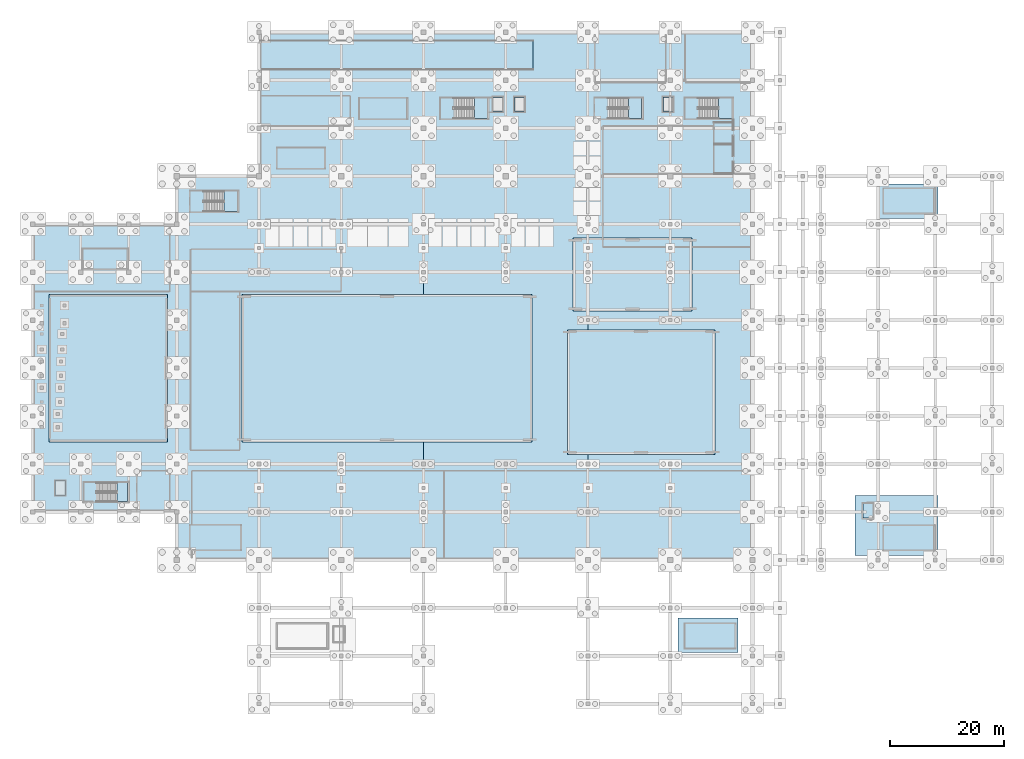
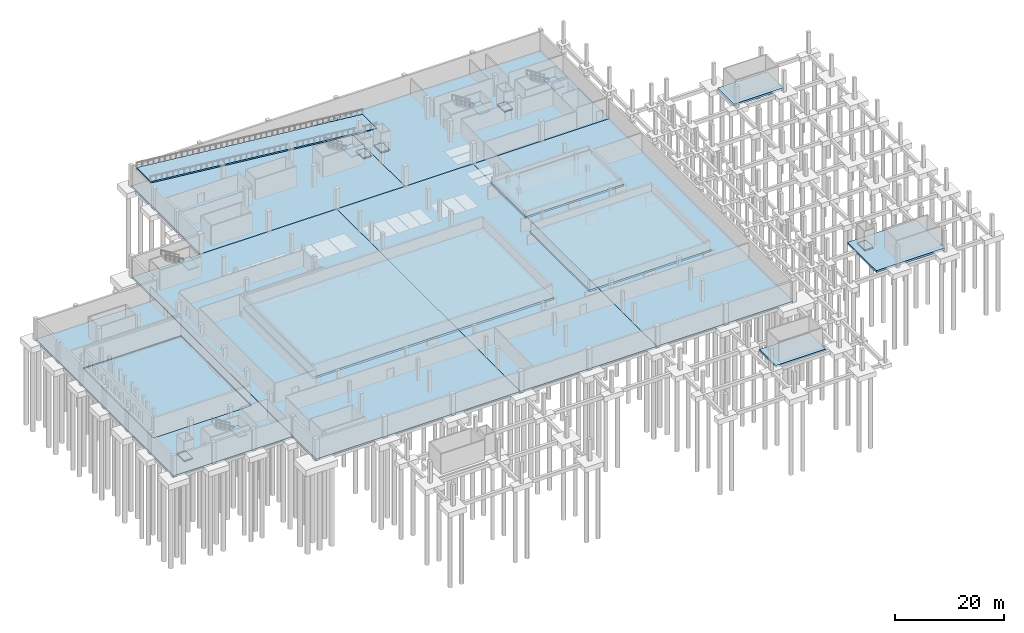
# One storey, part 12 of 26: 24 slabs, 5 elements without a shape of their own.
"""IFC4 building model written with IfcOpenShell, lengths in metres."""

from ifc_helpers import new_model, si_unit, direction, frame, origin, place, context, subcontext, project, spatial, polyline, outline, extrude, material, layer, layer_set, type_object, element, aggregate, save


model = new_model("IFC4")

# Units and contexts
model_context = context("Model", 3, precision=1e-05, world=origin(), true_north=direction((0.0, 1.0)))
body_context = subcontext(model_context, "Body", "Model", "MODEL_VIEW")
ifc_project = project(units=[si_unit("LENGTHUNIT", "METRE"), si_unit("AREAUNIT", "SQUARE_METRE"), si_unit("VOLUMEUNIT", "CUBIC_METRE"), si_unit("PLANEANGLEUNIT", "RADIAN"), si_unit("MASSUNIT", "GRAM", prefix="KILO"), si_unit("THERMODYNAMICTEMPERATUREUNIT", "KELVIN")], contexts=[model_context])

# Site, building, storey
site_placement = place(None, origin())
site = spatial("IfcSite", under=ifc_project, at=site_placement, CompositionType="ELEMENT")
building_placement = place(site_placement, origin())
building = spatial("IfcBuilding", under=site, at=building_placement, Name="Nduvali Passage Aquatics Centre", CompositionType="ELEMENT")
storey_placement = place(building_placement, frame((0.0, 0.0, -4.800048828125)))
storey = spatial("IfcBuildingStorey", under=building, at=storey_placement, Name="B01", CompositionType="ELEMENT", Elevation=-4.800048828125)

# Stair, slab
ifc_material_1 = material(Name="Concrete C40/50", Category="concrete")
stair_type_1 = type_object("IfcStairType", Name="INT-STR-CORE172", PredefinedType="HALF_TURN_STAIR", material=ifc_material_1)
stair_1_placement = place(storey_placement, origin())
stair_1 = element("IfcStair", 1, at=stair_1_placement, inside=storey, type_object=stair_type_1, Name="B01 ST1", PredefinedType="HALF_TURN_STAIR")
ifc_layer_1 = layer(ifc_material_1, 0.219970703125, Name="Concrete C40/50")
ifc_layer_set_1 = layer_set([ifc_layer_1], Name="Concrete C40/50")
slab_type_1 = type_object("IfcSlabType", Name="INT-SLB-LAND170", PredefinedType="LANDING", material=ifc_layer_set_1)
slab_1_placement = place(storey_placement, frame((0.0, 0.0, 2.179931640625)))
slab_1 = element("IfcSlab", 2, at=slab_1_placement, type_object=slab_type_1, Name="ST1 landing 1", PredefinedType="LANDING", context=body_context, shape_type="SweptSolid", body=[
    extrude(outline(polyline([(77.2900390625, 102.5), (79.60009765625, 102.5), (79.60009765625, 106.090087890625), (77.2900390625, 106.090087890625), (77.2900390625, 102.5)])), origin(), (0.0, 0.0, 1.0), 0.22021484375),
])
aggregate(stair_1, [slab_1])

stair_2_placement = place(storey_placement, origin())
stair_2 = element("IfcStair", 3, at=stair_2_placement, inside=storey, type_object=stair_type_1, Name="B01 ST2", PredefinedType="HALF_TURN_STAIR")
slab_2_placement = place(storey_placement, frame((0.0, 0.0, 2.179931640625)))
slab_2 = element("IfcSlab", 4, at=slab_2_placement, type_object=slab_type_1, Name="ST2 landing 1", PredefinedType="LANDING", context=body_context, shape_type="SweptSolid", body=[
    extrude(outline(polyline([(120.090087890625, 102.5), (122.39990234375, 102.5), (122.39990234375, 106.090087890625), (120.090087890625, 106.090087890625), (120.090087890625, 102.5)])), origin(), (0.0, 0.0, 1.0), 0.22021484375),
])
aggregate(stair_2, [slab_2])

stair_type_2 = type_object("IfcStairType", Name="INT-STR-CORE160", PredefinedType="HALF_TURN_STAIR", material=ifc_material_1)
stair_3_placement = place(storey_placement, origin())
stair_3 = element("IfcStair", 5, at=stair_3_placement, inside=storey, type_object=stair_type_2, Name="B01 ST9", PredefinedType="HALF_TURN_STAIR")
slab_3_placement = place(storey_placement, frame((0.0, 0.0, 2.179931640625)))
slab_3 = element("IfcSlab", 6, at=slab_3_placement, type_object=slab_type_1, Name="ST9 landing 1", PredefinedType="LANDING", context=body_context, shape_type="SweptSolid", body=[
    extrude(outline(polyline([(14.739990234375, 35.39990234375), (16.60009765625, 35.39990234375), (16.60009765625, 38.75), (14.739990234375, 38.75), (14.739990234375, 35.39990234375)])), origin(), (0.0, 0.0, 1.0), 0.22021484375),
])
aggregate(stair_3, [slab_3])

stair_4_placement = place(storey_placement, origin())
stair_4 = element("IfcStair", 7, at=stair_4_placement, inside=storey, type_object=stair_type_1, Name="B01 ST10", PredefinedType="HALF_TURN_STAIR")
slab_4_placement = place(storey_placement, frame((0.0, 0.0, 2.179931640625)))
slab_4 = element("IfcSlab", 8, at=slab_4_placement, type_object=slab_type_1, Name="ST10 landing 1", PredefinedType="LANDING", context=body_context, shape_type="SweptSolid", body=[
    extrude(outline(polyline([(33.489990234375, 86.199951171875), (35.800048828125, 86.199951171875), (35.800048828125, 89.7900390625), (33.489990234375, 89.7900390625), (33.489990234375, 86.199951171875)])), origin(), (0.0, 0.0, 1.0), 0.22021484375),
])
aggregate(stair_4, [slab_4])

stair_5_placement = place(storey_placement, origin())
stair_5 = element("IfcStair", 9, at=stair_5_placement, inside=storey, type_object=stair_type_1, Name="B01 ST11", PredefinedType="HALF_TURN_STAIR")
slab_5_placement = place(storey_placement, frame((0.0, 0.0, 2.179931640625)))
slab_5 = element("IfcSlab", 10, at=slab_5_placement, type_object=slab_type_1, Name="ST11 landing 1", PredefinedType="LANDING", context=body_context, shape_type="SweptSolid", body=[
    extrude(outline(polyline([(104.2900390625, 102.5), (106.60009765625, 102.5), (106.60009765625, 106.090087890625), (104.2900390625, 106.090087890625), (104.2900390625, 102.5)])), origin(), (0.0, 0.0, 1.0), 0.22021484375),
])
aggregate(stair_5, [slab_5])

# Slabs
ifc_layer_2 = layer(ifc_material_1, 0.27001953125, Name="Concrete C40/50")
ifc_layer_set_2 = layer_set([ifc_layer_2], Name="Concrete C40/50")
slab_type_2 = type_object("IfcSlabType", Name="INT-SLB-SHAFT200", PredefinedType="BASESLAB", material=ifc_layer_set_2)
slab_6_placement = place(storey_placement, origin())
element("IfcSlab", 11, at=slab_6_placement, inside=storey, type_object=slab_type_2, Name="Lift L1 Shaft Pit Slab", PredefinedType="BASESLAB", context=body_context, shape_type="SweptSolid", body=[
    extrude(outline(polyline([(80.52001953125, 103.719970703125), (82.280029296875, 103.719970703125), (82.280029296875, 106.280029296875), (80.52001953125, 106.280029296875), (80.52001953125, 103.719970703125)])), origin(), (0.0, 0.0, 1.0), 0.27001953125),
])
slab_7_placement = place(storey_placement, origin())
element("IfcSlab", 12, at=slab_7_placement, inside=storey, type_object=slab_type_2, Name="Lift L2 Shaft Pit Slab", PredefinedType="BASESLAB", context=body_context, shape_type="SweptSolid", body=[
    extrude(outline(polyline([(84.320068359375, 103.719970703125), (86.080078125, 103.719970703125), (86.080078125, 106.280029296875), (84.320068359375, 106.280029296875), (84.320068359375, 103.719970703125)])), origin(), (0.0, 0.0, 1.0), 0.27001953125),
])
slab_8_placement = place(storey_placement, origin())
element("IfcSlab", 13, at=slab_8_placement, inside=storey, type_object=slab_type_2, Name="Lift L3 Shaft Pit Slab", PredefinedType="BASESLAB", context=body_context, shape_type="SweptSolid", body=[
    extrude(outline(polyline([(110.320068359375, 103.719970703125), (112.080078125, 103.719970703125), (112.080078125, 106.280029296875), (110.320068359375, 106.280029296875), (110.320068359375, 103.719970703125)])), origin(), (0.0, 0.0, 1.0), 0.27001953125),
])
slab_9_placement = place(storey_placement, origin())
element("IfcSlab", 14, at=slab_9_placement, inside=storey, type_object=slab_type_2, Name="Lift L5 Shaft Pit Slab", PredefinedType="BASESLAB", context=body_context, shape_type="SweptSolid", body=[
    extrude(outline(polyline([(3.919921875, 36.52001953125), (5.679931640625, 36.52001953125), (5.679931640625, 39.080078125), (3.919921875, 39.080078125), (3.919921875, 36.52001953125)])), origin(), (0.0, 0.0, 1.0), 0.27001953125),
])
slab_10_placement = place(storey_placement, origin())
element("IfcSlab", 15, at=slab_10_placement, inside=storey, type_object=slab_type_2, Name="Lift L6 Shaft Pit Slab", PredefinedType="BASESLAB", context=body_context, shape_type="SweptSolid", body=[
    extrude(outline(polyline([(145.320068359375, 32.52001953125), (147.080078125, 32.52001953125), (147.080078125, 35.080078125), (145.320068359375, 35.080078125), (145.320068359375, 32.52001953125)])), origin(), (0.0, 0.0, 1.0), 0.27001953125),
])
ifc_material_2 = material(Name="Waterproof concrete C40/50", Category="concrete")
ifc_layer_3 = layer(ifc_material_2, 0.449951171875, Name="Waterproof concrete C40/50")
ifc_layer_set_3 = layer_set([ifc_layer_3], Name="Waterproof concrete C40/50")
slab_type_3 = type_object("IfcSlabType", Name="STR-SLB-BASE450", PredefinedType="BASESLAB", material=ifc_layer_set_3)
slab_11_placement = place(storey_placement, frame((0.0, 0.0, 2.150146484375)))
element("IfcSlab", 16, at=slab_11_placement, inside=storey, type_object=slab_type_3, Name="Training Pool Waterproof Base Slab", PredefinedType="BASESLAB", context=body_context, shape_type="SweptSolid", body=[
    extrude(outline(polyline([(93.590087890625, 43.699951171875), (119.409912109375, 43.699951171875), (119.409912109375, 65.5), (93.590087890625, 65.5), (93.590087890625, 43.699951171875)])), origin(), (0.0, 0.0, 1.0), 0.449951171875),
])
slab_12_placement = place(storey_placement, frame((0.0, 0.0, 2.949951171875)))
element("IfcSlab", 17, at=slab_12_placement, inside=storey, type_object=slab_type_3, Name="Leisure Pool Waterproof Base Slab", PredefinedType="BASESLAB", context=body_context, shape_type="SweptSolid", body=[
    extrude(outline(polyline([(94.60009765625, 68.800048828125), (115.39990234375, 68.800048828125), (115.39990234375, 81.60009765625), (94.60009765625, 81.60009765625), (94.60009765625, 68.800048828125)])), origin(), (0.0, 0.0, 1.0), 0.4501953125),
])
slab_13_placement = place(storey_placement, frame((0.0, 0.0, -0.449951171875)))
element("IfcSlab", 18, at=slab_13_placement, inside=storey, type_object=slab_type_3, Name="B01 Diving Sub-Basin Plant Base Slab", PredefinedType="BASESLAB", context=body_context, shape_type="SweptSolid", body=[
    extrude(outline(polyline([(0.0, 33.60009765625), (25.199951171875, 33.60009765625), (25.199951171875, 84.0), (0.0, 84.0), (0.0, 33.60009765625)]), holes=[polyline([(2.800048828125, 45.89990234375), (23.60009765625, 45.89990234375), (23.60009765625, 71.699951171875), (2.800048828125, 71.699951171875), (2.800048828125, 45.89990234375)])]), origin(), (0.0, 0.0, 1.0), 0.449951171875),
])
slab_14_placement = place(storey_placement, frame((0.0, 0.0, -0.449951171875)))
element("IfcSlab", 19, at=slab_14_placement, inside=storey, type_object=slab_type_3, Name="B01 Pool Filtration Plant Base Slab Bay 1", PredefinedType="BASESLAB", context=body_context, shape_type="SweptSolid", body=[
    extrude(outline(polyline([(25.25, 25.199951171875), (68.39990234375, 25.199951171875), (68.39990234375, 92.39990234375), (25.25, 92.39990234375), (25.25, 25.199951171875)])), origin(), (0.0, 0.0, 1.0), 0.449951171875),
])
slab_15_placement = place(storey_placement, frame((0.0, 0.0, -0.449951171875)))
element("IfcSlab", 20, at=slab_15_placement, inside=storey, type_object=slab_type_3, Name="B01 Pool Filtration Plant Base Slab Bay 2", PredefinedType="BASESLAB", context=body_context, shape_type="SweptSolid", body=[
    extrude(outline(polyline([(68.39990234375, 25.199951171875), (97.199951171875, 25.199951171875), (97.199951171875, 92.39990234375), (68.39990234375, 92.39990234375), (68.39990234375, 25.199951171875)])), origin(), (0.0, 0.0, 1.0), 0.449951171875),
])
slab_16_placement = place(storey_placement, frame((0.0, 0.0, -0.449951171875)))
element("IfcSlab", 21, at=slab_16_placement, inside=storey, type_object=slab_type_3, Name="B01 Pool Filtration Plant Base Slab Bay 3", PredefinedType="BASESLAB", context=body_context, shape_type="SweptSolid", body=[
    extrude(outline(polyline([(97.199951171875, 25.199951171875), (126.0, 25.199951171875), (126.0, 92.39990234375), (97.199951171875, 92.39990234375), (97.199951171875, 25.199951171875)])), origin(), (0.0, 0.0, 1.0), 0.449951171875),
])
slab_17_placement = place(storey_placement, frame((0.0, 0.0, -0.449951171875)))
element("IfcSlab", 22, at=slab_17_placement, inside=storey, type_object=slab_type_3, Name="B01 Service Apron and Car Park Base Slab Bay 1", PredefinedType="BASESLAB", context=body_context, shape_type="SweptSolid", body=[
    extrude(outline(polyline([(39.60009765625, 92.449951171875), (82.800048828125, 92.449951171875), (82.800048828125, 117.60009765625), (39.60009765625, 117.60009765625), (39.60009765625, 92.449951171875)])), origin(), (0.0, 0.0, 1.0), 0.449951171875),
])
slab_18_placement = place(storey_placement, frame((0.0, 0.0, -0.449951171875)))
element("IfcSlab", 23, at=slab_18_placement, inside=storey, type_object=slab_type_3, Name="B01 Service Apron and Car Park Base Slab Bay 2", PredefinedType="BASESLAB", context=body_context, shape_type="SweptSolid", body=[
    extrude(outline(polyline([(82.800048828125, 92.449951171875), (126.0, 92.449951171875), (126.0, 117.60009765625), (82.800048828125, 117.60009765625), (82.800048828125, 92.449951171875)]), holes=[polyline([(84.550048828125, 111.0), (87.60009765625, 111.0), (87.60009765625, 116.199951171875), (84.550048828125, 116.199951171875), (84.550048828125, 111.0)])]), origin(), (0.0, 0.0, 1.0), 0.449951171875),
])
slab_19_placement = place(storey_placement, frame((0.0, 0.0, -0.449951171875)))
element("IfcSlab", 24, at=slab_19_placement, inside=storey, type_object=slab_type_3, Name="B01 Core Substructure Base Slab V4-E", PredefinedType="BASESLAB", context=body_context, shape_type="SweptSolid", body=[
    extrude(outline(polyline([(113.0, 9.0), (123.5, 9.0), (123.5, 15.0), (113.0, 15.0), (113.0, 9.0)])), origin(), (0.0, 0.0, 1.0), 0.449951171875),
])
slab_20_placement = place(storey_placement, frame((0.0, 0.0, -0.449951171875)))
element("IfcSlab", 25, at=slab_20_placement, inside=storey, type_object=slab_type_3, Name="B01 Core Substructure Base Slab V3-S", PredefinedType="BASESLAB", context=body_context, shape_type="SweptSolid", body=[
    extrude(outline(polyline([(144.0, 26.0), (158.5, 26.0), (158.5, 36.5), (144.0, 36.5), (144.0, 26.0)])), origin(), (0.0, 0.0, 1.0), 0.449951171875),
])
slab_21_placement = place(storey_placement, frame((0.0, 0.0, -0.449951171875)))
element("IfcSlab", 26, at=slab_21_placement, inside=storey, type_object=slab_type_3, Name="B01 Core Substructure Base Slab V3-N", PredefinedType="BASESLAB", context=body_context, shape_type="SweptSolid", body=[
    extrude(outline(polyline([(148.0, 85.0), (158.5, 85.0), (158.5, 91.0), (148.0, 91.0), (148.0, 85.0)])), origin(), (0.0, 0.0, 1.0), 0.449951171875),
])
ifc_layer_4 = layer(ifc_material_2, 0.5, Name="Waterproof concrete C40/50")
ifc_layer_set_4 = layer_set([ifc_layer_4], Name="Waterproof concrete C40/50")
slab_type_4 = type_object("IfcSlabType", Name="STR-SLB-BASE500", PredefinedType="BASESLAB", material=ifc_layer_set_4)
slab_22_placement = place(storey_placement, frame((0.0, 0.0, 1.300048828125)))
element("IfcSlab", 27, at=slab_22_placement, inside=storey, type_object=slab_type_4, Name="Competition Pool Waterproof Base Slab", PredefinedType="BASESLAB", context=body_context, shape_type="SweptSolid", body=[
    extrude(outline(polyline([(36.590087890625, 45.89990234375), (87.409912109375, 45.89990234375), (87.409912109375, 71.699951171875), (36.590087890625, 71.699951171875), (36.590087890625, 45.89990234375)])), origin(), (0.0, 0.0, 1.0), 0.5),
])
ifc_layer_5 = layer(ifc_material_2, 0.550048828125, Name="Waterproof concrete C40/50")
ifc_layer_set_5 = layer_set([ifc_layer_5], Name="Waterproof concrete C40/50")
slab_type_5 = type_object("IfcSlabType", Name="STR-SLB-BASE550", PredefinedType="BASESLAB", material=ifc_layer_set_5)
slab_23_placement = place(storey_placement, frame((0.0, 0.0, -0.75)))
element("IfcSlab", 28, at=slab_23_placement, inside=storey, type_object=slab_type_5, Name="Diving Pool Waterproof Base Slab", PredefinedType="BASESLAB", context=body_context, shape_type="SweptSolid", body=[
    extrude(outline(polyline([(2.800048828125, 45.89990234375), (23.60009765625, 45.89990234375), (23.60009765625, 71.699951171875), (2.800048828125, 71.699951171875), (2.800048828125, 45.89990234375)])), origin(), (0.0, 0.0, 1.0), 0.550048828125),
])
ifc_layer_6 = layer(ifc_material_1, 0.300048828125, Name="Concrete C40/50")
ifc_layer_set_6 = layer_set([ifc_layer_6], Name="Concrete C40/50")
slab_type_6 = type_object("IfcSlabType", Name="STR-SLB-VR1", PredefinedType="USERDEFINED", material=ifc_layer_set_6)
slab_24_placement = place(storey_placement, frame((39.860107421875, 111.0, 4.800048828125), z_axis=(0.100041251646, 0.0, 0.994983290296), x_axis=(0.994983290296, 0.0, -0.100041251646)))
element("IfcSlab", 29, at=slab_24_placement, inside=storey, type_object=slab_type_6, Name="Vehicle Service and Car Park Ramp VR1", ObjectType="VEHICLE RAMP", PredefinedType="USERDEFINED", context=body_context, shape_type="SweptSolid", body=[
    extrude(outline(polyline([(0.0, 0.0), (47.98069545484522, 0.0), (47.98069545484522, 5.199951171875), (0.0, 5.199951171875), (0.0, 0.0)])), origin(), (0.0, 0.0, -1.0), 0.300048828125),
])

save(model, "model.ifc")
